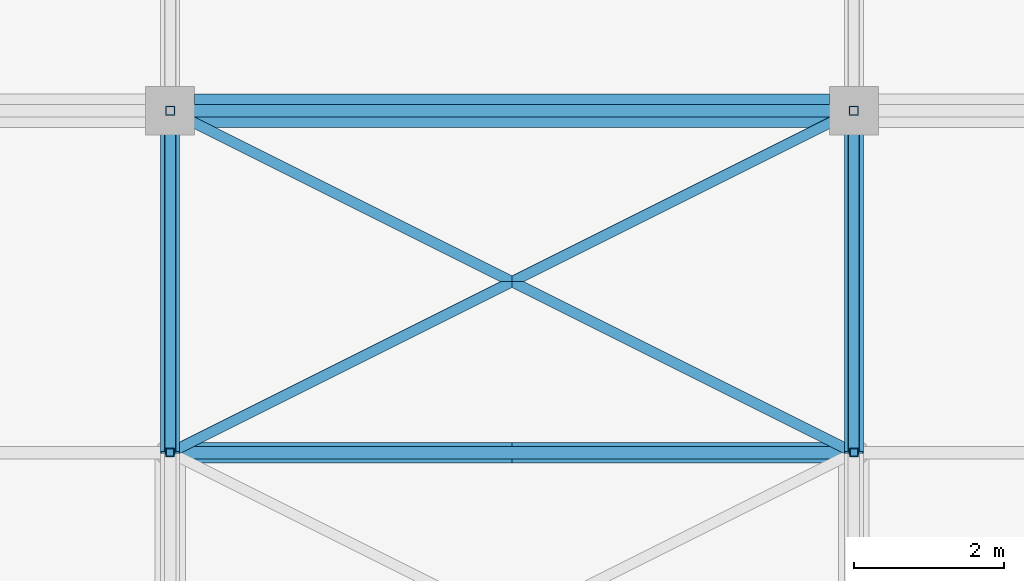
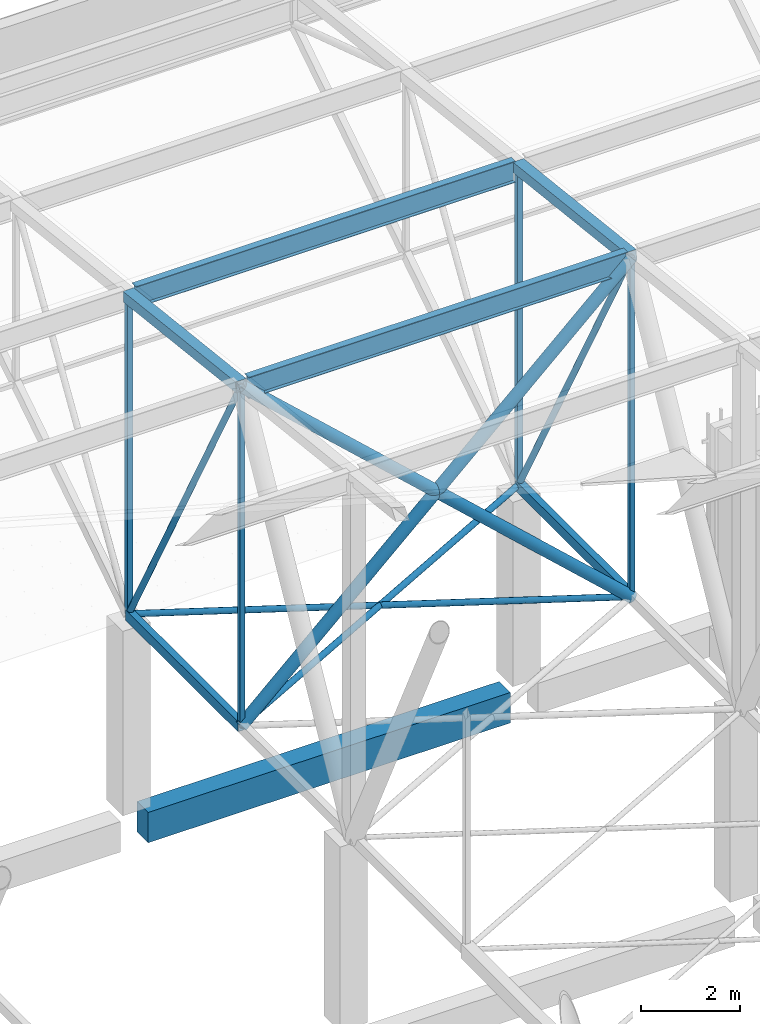
# One storey, part 319 of 500: 16 members, 1 beam.
"""IFC4 building model written with IfcOpenShell, lengths in metres."""

from ifc_helpers import new_model, si_unit, direction, frame, origin, origin_2d, place, context, subcontext, project, spatial, rectangle, hollow_rectangle, hollow_circle, i_section, extrude, material, material_profile, profile_set, type_object, element, save


model = new_model("IFC4")

# Units and contexts
model_context = context("Model", 3, precision=1e-05, world=origin(), true_north=direction((0.0, 1.0)))
body_context = subcontext(model_context, "Body", "Model", "MODEL_VIEW")
ifc_project = project(units=[si_unit("LENGTHUNIT", "METRE"), si_unit("AREAUNIT", "SQUARE_METRE"), si_unit("VOLUMEUNIT", "CUBIC_METRE"), si_unit("PLANEANGLEUNIT", "RADIAN"), si_unit("MASSUNIT", "GRAM", prefix="KILO")], contexts=[model_context])

# Site, building, storey
site_placement = place(None, origin())
site = spatial("IfcSite", under=ifc_project, at=site_placement, CompositionType="ELEMENT")
building_placement = place(site_placement, origin())
building = spatial("IfcBuilding", under=site, at=building_placement, Name="Shirokan Park Arena", CompositionType="ELEMENT")
storey_placement = place(building_placement, frame((0.0, 0.0, 29.1201171875)))
storey = spatial("IfcBuildingStorey", under=building, at=storey_placement, Name="L06", CompositionType="ELEMENT", Elevation=29.1201171875)

# Members
ifc_material_1 = material(Name="Steel ASTM A500 Grade C", Category="steel")
ifc_material_profile_1 = material_profile(ifc_material_1, hollow_circle(Radius=0.136474609375, WallThickness=0.009521484375, at=origin_2d()), Name="HSS273.1X9.5")
ifc_profile_set_1 = profile_set([ifc_material_profile_1], Name="Steel ASTM A500 Grade C")
member_type_1 = type_object("IfcMemberType", Name="Bearing bracing HSS273.1X9.5", PredefinedType="BRACE", material=ifc_profile_set_1)
for number, where, z_axis, x_axis, name in (
    (1, (91.0, 104.64990234375, 4.677001953125), (0.735440048561, 0.0, 0.677589798457), (0.0, 1.0, 0.0), "Bearing bracing bay 11 node 26 A"),
    (2, (100.10009765625, 104.64990234375, 4.677001953125), (-0.735440048561, 0.0, 0.677589798457), (0.0, -1.0, 0.0), "Bearing bracing bay 11 node 26 B"),
):
    element("IfcMember", number, at=place(storey_placement, frame(where, z_axis=z_axis, x_axis=x_axis)), inside=storey, type_object=member_type_1, Name=name, PredefinedType="BRACE", context=body_context, shape_type="SweptSolid", body=[
        extrude(hollow_circle(Radius=0.136474609375, WallThickness=0.009521484375, at=origin_2d()), origin(), (0.0, 0.0, 1.0), 12.373779296875),
    ])
ifc_material_profile_2 = material_profile(ifc_material_1, hollow_rectangle(XDim=0.152099609375, YDim=0.25390625, WallThickness=0.009521484375, at=origin_2d()), Name="HSS254X152.4X9.5")
ifc_profile_set_2 = profile_set([ifc_material_profile_2], Name="Steel ASTM A500 Grade C")
member_type_2 = type_object("IfcMemberType", Name="Bottom chord HSS254X152.4X9.5", PredefinedType="CHORD", material=ifc_profile_set_2)
for number, where, z_axis, x_axis, name in (
    (3, (91.0, 104.64990234375, 4.677001953125), (0.0, 1.0, 0.0), (-1.0, 0.0, 0.0), "Truss T11 bottom chord 26"),
    (4, (100.10009765625, 104.64990234375, 4.677001953125), (0.0, 1.0, 0.0), (-1.0, 0.0, 0.0), "Truss T12 bottom chord 26"),
):
    element("IfcMember", number, at=place(storey_placement, frame(where, z_axis=z_axis, x_axis=x_axis)), inside=storey, type_object=member_type_2, Name=name, PredefinedType="CHORD", context=body_context, shape_type="SweptSolid", body=[
        extrude(hollow_rectangle(XDim=0.152099609375, YDim=0.25390625, WallThickness=0.009521484375, at=origin_2d()), origin(), (0.0, 0.0, 1.0), 4.550048828125),
    ])
ifc_material_profile_3 = material_profile(ifc_material_1, hollow_circle(Radius=0.070556640625, WallThickness=0.009521484375, at=origin_2d()), Name="HSS141.3X9.5")
ifc_profile_set_3 = profile_set([ifc_material_profile_3], Name="Steel ASTM A500 Grade C")
member_type_3 = type_object("IfcMemberType", Name="Plan bracing HSS141.3X9.5", PredefinedType="BRACE", material=ifc_profile_set_3)
for number, where, z_axis, x_axis, name in (
    (5, (91.0, 104.64990234375, 4.677001953125), (0.894427191, 0.4472135955, 0.0), (-0.4472135955, 0.894427191, 0.0), "Plan bracing bay 11 panel 26 A"),
    (6, (100.10009765625, 104.64990234375, 4.677001953125), (-0.894427191, 0.4472135955, 0.0), (-0.4472135955, -0.894427191, 0.0), "Plan bracing bay 11 panel 26 B"),
):
    element("IfcMember", number, at=place(storey_placement, frame(where, z_axis=z_axis, x_axis=x_axis)), inside=storey, type_object=member_type_3, Name=name, PredefinedType="BRACE", context=body_context, shape_type="SweptSolid", body=[
        extrude(hollow_circle(Radius=0.070556640625, WallThickness=0.009521484375, at=origin_2d()), origin(), (0.0, 0.0, 1.0), 10.17431640625),
    ])
ifc_material_2 = material(Name="Steel ASTM A992", Category="steel")
ifc_material_profile_4 = material_profile(ifc_material_2, i_section(OverallWidth=0.166015625, OverallDepth=0.528076171875, WebThickness=0.009765625, FlangeThickness=0.013671875, at=origin_2d()), Name="W530X74")
ifc_profile_set_4 = profile_set([ifc_material_profile_4], Name="Steel ASTM A992")
member_type_4 = type_object("IfcMemberType", Name="Purlin W530X74", PredefinedType="PURLIN", material=ifc_profile_set_4)
for number, where, z_axis, x_axis, name in (
    (7, (91.126953125, 104.64990234375, 13.005859375), (1.0, 0.0, 0.0), (0.0, 1.0, 0.0), "Purlin 26 bay 11"),
    (8, (91.126953125, 109.199951171875, 12.48583984375), (1.0, 0.0, 0.0), (0.0, 1.0, 0.0), "Purlin 27 bay 11"),
):
    element("IfcMember", number, at=place(storey_placement, frame(where, z_axis=z_axis, x_axis=x_axis)), inside=storey, type_object=member_type_4, Name=name, PredefinedType="PURLIN", context=body_context, shape_type="SweptSolid", body=[
        extrude(i_section(OverallWidth=0.166015625, OverallDepth=0.528076171875, WebThickness=0.009765625, FlangeThickness=0.013671875, at=origin_2d()), origin(), (0.0, 0.0, 1.0), 8.845947265625),
    ])

# Beam
ifc_material_3 = material(Name="Concrete C35", Category="concrete")
ifc_material_profile_5 = material_profile(ifc_material_3, rectangle(XDim=0.449951171875, YDim=0.75, at=origin_2d()), Name="450x750")
ifc_profile_set_5 = profile_set([ifc_material_profile_5], Name="Concrete C35")
beam_type = type_object("IfcBeamType", Name="RC girder 450x750", PredefinedType="BEAM", material=ifc_profile_set_5)
beam_placement = place(storey_placement, frame((91.3251953125, 109.199951171875, -0.5751953125), z_axis=(1.0, 0.0, 0.0), x_axis=(0.0, 1.0, 0.0)))
element("IfcBeam", 9, at=beam_placement, inside=storey, type_object=beam_type, Name="Girder 11N-12N L06", PredefinedType="BEAM", context=body_context, shape_type="SweptSolid", body=[
    extrude(rectangle(XDim=0.449951171875, YDim=0.75, at=origin_2d()), origin(), (0.0, 0.0, 1.0), 8.44970703125),
])

# Members
ifc_material_profile_6 = material_profile(ifc_material_1, hollow_rectangle(XDim=0.25390625, YDim=0.25390625, WallThickness=0.009521484375, at=origin_2d()), Name="HSS254X254X9.5")
ifc_profile_set_6 = profile_set([ifc_material_profile_6], Name="Steel ASTM A500 Grade C")
member_type_5 = type_object("IfcMemberType", Name="Top chord HSS254X254X9.5", PredefinedType="CHORD", material=ifc_profile_set_6)
for number, where, z_axis, x_axis, name in (
    (10, (91.0, 104.64990234375, 13.061279296875), (0.0, 0.993538341779, -0.113496975353), (-1.0, 0.0, 0.0), "Truss T11 top chord 26"),
    (11, (100.10009765625, 104.64990234375, 13.061279296875), (0.0, 0.993538341779, -0.113496975353), (-1.0, 0.0, 0.0), "Truss T12 top chord 26"),
):
    element("IfcMember", number, at=place(storey_placement, frame(where, z_axis=z_axis, x_axis=x_axis)), inside=storey, type_object=member_type_5, Name=name, PredefinedType="CHORD", context=body_context, shape_type="SweptSolid", body=[
        extrude(hollow_rectangle(XDim=0.25390625, YDim=0.25390625, WallThickness=0.009521484375, at=origin_2d()), origin(), (0.0, 0.0, 1.0), 4.57958984375),
    ])
ifc_material_profile_7 = material_profile(ifc_material_1, hollow_circle(Radius=0.070556640625, WallThickness=0.006591796875, at=origin_2d()), Name="HSS141.3X6.6")
ifc_profile_set_7 = profile_set([ifc_material_profile_7], Name="Steel ASTM A500 Grade C")
member_type_6 = type_object("IfcMemberType", Name="Truss diagonal HSS141.3X6.6", PredefinedType="BRACE", material=ifc_profile_set_7)
for number, where, z_axis, x_axis, name in (
    (12, (91.0, 104.64990234375, 13.061279296875), (0.0, 0.476977206611, -0.878915663971), (-1.0, 0.0, 0.0), "Truss T11 diagonal 26"),
    (13, (100.10009765625, 104.64990234375, 13.061279296875), (0.0, 0.476977206611, -0.878915663971), (-1.0, 0.0, 0.0), "Truss T12 diagonal 26"),
):
    element("IfcMember", number, at=place(storey_placement, frame(where, z_axis=z_axis, x_axis=x_axis)), inside=storey, type_object=member_type_6, Name=name, PredefinedType="BRACE", context=body_context, shape_type="SweptSolid", body=[
        extrude(hollow_circle(Radius=0.070556640625, WallThickness=0.006591796875, at=origin_2d()), origin(), (0.0, 0.0, 1.0), 9.539306640625),
    ])
ifc_material_profile_8 = material_profile(ifc_material_1, hollow_rectangle(XDim=0.114013671875, YDim=0.114013671875, WallThickness=0.00634765625, at=origin_2d()), Name="HSS114.3X114.3X6.4")
ifc_profile_set_8 = profile_set([ifc_material_profile_8], Name="Steel ASTM A500 Grade C")
member_type_7 = type_object("IfcMemberType", Name="Truss post HSS114.3X114.3X6.4", PredefinedType="POST", material=ifc_profile_set_8)
for number, where, z_axis, x_axis, name in (
    (14, (91.0, 104.64990234375, 4.677001953125), (0.0, 0.0, 1.0), (1.0, 0.0, 0.0), "Truss T11 post 26"),
    (15, (100.10009765625, 104.64990234375, 4.677001953125), (0.0, 0.0, 1.0), (1.0, 0.0, 0.0), "Truss T12 post 26"),
):
    element("IfcMember", number, at=place(storey_placement, frame(where, z_axis=z_axis, x_axis=x_axis)), inside=storey, type_object=member_type_7, Name=name, PredefinedType="POST", context=body_context, shape_type="SweptSolid", body=[
        extrude(hollow_rectangle(XDim=0.114013671875, YDim=0.114013671875, WallThickness=0.00634765625, at=origin_2d()), origin(), (0.0, 0.0, 1.0), 8.38427734375),
    ])
ifc_material_profile_9 = material_profile(ifc_material_1, hollow_rectangle(XDim=0.126953125, YDim=0.126953125, WallThickness=0.0126953125, at=origin_2d()), Name="HSS127X127X12.7")
ifc_profile_set_9 = profile_set([ifc_material_profile_9], Name="Steel ASTM A500 Grade C")
member_type_8 = type_object("IfcMemberType", Name="Truss post HSS127X127X12.7", PredefinedType="POST", material=ifc_profile_set_9)
for number, where, z_axis, x_axis, name in (
    (16, (91.0, 109.199951171875, 4.677001953125), (0.0, 0.0, 1.0), (1.0, 0.0, 0.0), "Truss T11 post 27"),
    (17, (100.10009765625, 109.199951171875, 4.677001953125), (0.0, 0.0, 1.0), (1.0, 0.0, 0.0), "Truss T12 post 27"),
):
    element("IfcMember", number, at=place(storey_placement, frame(where, z_axis=z_axis, x_axis=x_axis)), inside=storey, type_object=member_type_8, Name=name, PredefinedType="POST", context=body_context, shape_type="SweptSolid", body=[
        extrude(hollow_rectangle(XDim=0.126953125, YDim=0.126953125, WallThickness=0.0126953125, at=origin_2d()), origin(), (0.0, 0.0, 1.0), 7.864501953125),
    ])

save(model, "model.ifc")
